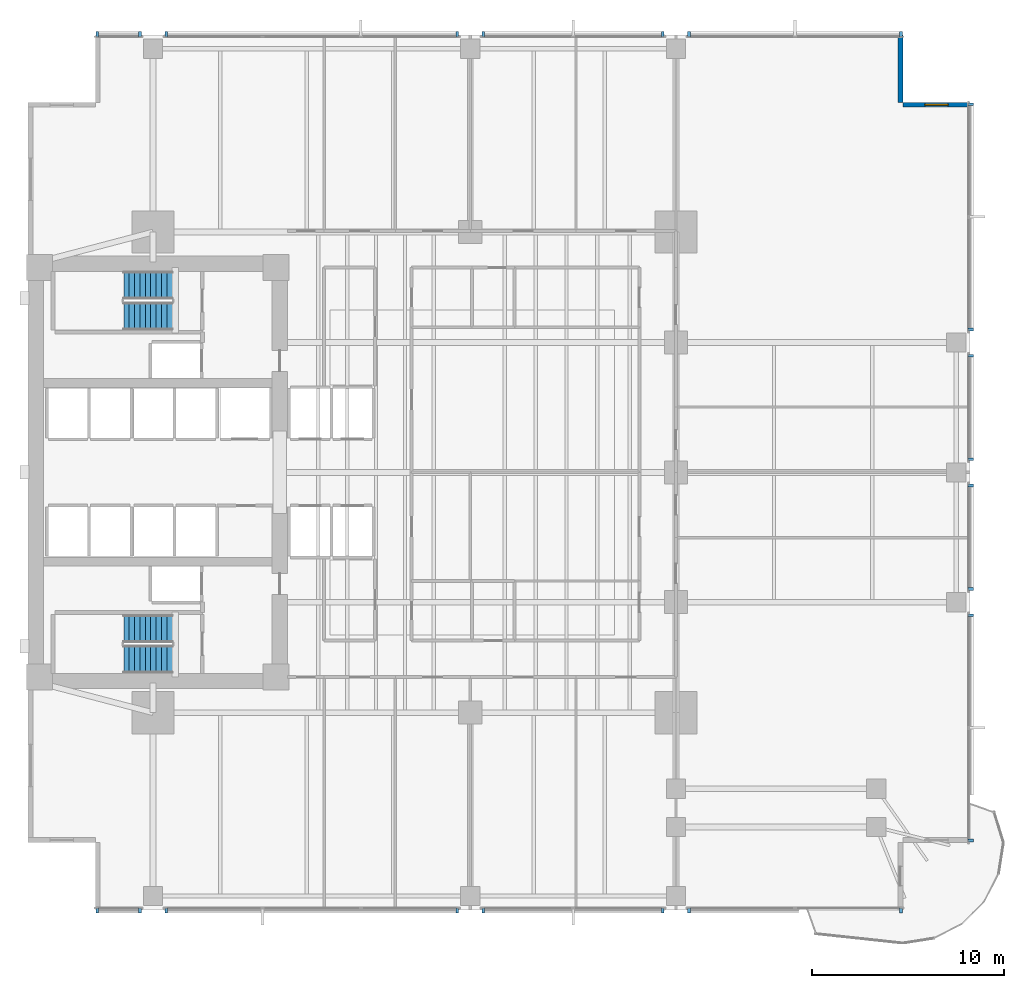
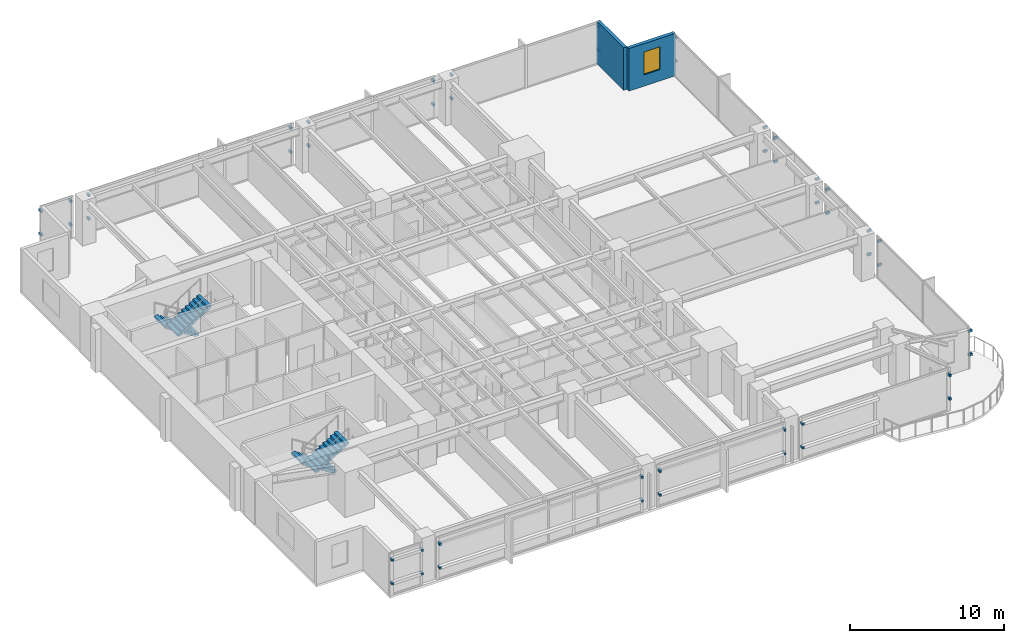
# One storey, part 11 of 15: 48 discrete accessories, 4 stair flights, 2 walls, 1 window, 1 opening, 2 elements without a shape of their own.
"""IFC4 building model written with IfcOpenShell, lengths in metres."""

from ifc_helpers import new_model, si_unit, direction, frame, frame_2d, origin, origin_2d, place, context, subcontext, project, spatial, polyline, rectangle, outline, extrude, material, layer, layer_set, type_object, element, fill, aggregate, save


model = new_model("IFC4")

# Units and contexts
model_context = context("Model", 3, precision=1e-05, world=origin(), true_north=direction((0.0, 1.0)))
body_context = subcontext(model_context, "Body", "Model", "MODEL_VIEW")
ifc_project = project(units=[si_unit("LENGTHUNIT", "METRE"), si_unit("AREAUNIT", "SQUARE_METRE"), si_unit("VOLUMEUNIT", "CUBIC_METRE"), si_unit("PLANEANGLEUNIT", "RADIAN"), si_unit("MASSUNIT", "GRAM", prefix="KILO")], contexts=[model_context])

# Site, building, storey
site_placement = place(None, origin())
site = spatial("IfcSite", under=ifc_project, at=site_placement, CompositionType="ELEMENT")
building_placement = place(site_placement, origin())
building = spatial("IfcBuilding", under=site, at=building_placement, Name="Kinhvarn Gate Tower", CompositionType="ELEMENT")
storey_placement = place(building_placement, frame((0.0, 0.0, 64.64990234375)))
storey = spatial("IfcBuildingStorey", under=building, at=storey_placement, Name="L16", CompositionType="ELEMENT", Elevation=64.64990234375)

# Wall, opening, window
ifc_material_1 = material(Name="Fired architectural terracotta", Category="masonry")
ifc_layer = layer(ifc_material_1, 0.25)
ifc_layer_set = layer_set([ifc_layer], Name="Fired architectural terracotta")
wall_type = type_object("IfcWallType", Name="WL-EXT-250", PredefinedType="SOLIDWALL", material=ifc_layer_set)
wall_1_placement = place(storey_placement, frame((53.5, 44.375, 0.0), z_axis=(0.0, 0.0, 1.0), x_axis=(-1.0, 0.0, 0.0)))
wall_1 = element("IfcWall", 1, at=wall_1_placement, inside=storey, type_object=wall_type, Name="Exterior Solidwall Wall EW-250 (L16 NE-Notch-1)", PredefinedType="SOLIDWALL", context=body_context, shape_type="SweptSolid", body=[
    extrude(rectangle(XDim=3.5, YDim=0.25, at=frame_2d((1.75, 0.0))), origin(), (0.0, 0.0, 1.0), 3.3701171875),
])
opening_placement = place(wall_1_placement, frame((1.14990234375, 0.0, 0.89990234375)))
opening = element("IfcOpeningElement", 2, at=opening_placement, cuts=wall_1, Name="Opening WN-02", PredefinedType="OPENING", context=body_context, shape_type="SweptSolid", body=[
    extrude(rectangle(XDim=1.199951171875, YDim=1.800048828125, at=frame_2d((0.60009765625, 0.89990234375))), frame((0.0, 0.135009765625, 0.0), z_axis=(0.0, -1.0, 0.0), x_axis=(1.0, 0.0, 0.0)), (0.0, 0.0, 1.0), 0.27001953125),
])
ifc_material_2 = material(Name="Clear low-e double glazing", Category="glass")
window_type = type_object("IfcWindowType", Name="WIN-NTC-1200", PartitioningType="SINGLE_PANEL", PredefinedType="WINDOW", material=ifc_material_2)
window_placement = place(opening_placement, origin())
window = element("IfcWindow", 3, at=window_placement, inside=storey, type_object=window_type, Name="Recessed Corner Notch Punched Window 1200x1800 mm (L16)", OverallHeight=1.800048828125, OverallWidth=1.199951171875, PartitioningType="SINGLE_PANEL", PredefinedType="WINDOW", context=body_context, shape_type="SweptSolid", body=[
    extrude(rectangle(XDim=1.199951171875, YDim=1.800048828125, at=frame_2d((0.60009765625, 0.89990234375))), frame((0.0, 0.030029296875, 0.0), z_axis=(0.0, -1.0, 0.0), x_axis=(1.0, 0.0, 0.0)), (0.0, 0.0, 1.0), 0.06005859375),
])
fill(opening, window)

# Wall
wall_2_placement = place(storey_placement, frame((49.875, 44.5, 0.0), z_axis=(0.0, 0.0, 1.0), x_axis=(0.0, 1.0, 0.0)))
element("IfcWall", 4, at=wall_2_placement, inside=storey, type_object=wall_type, Name="Exterior Solidwall Wall EW-250 (L16 NE-Notch-2)", PredefinedType="SOLIDWALL", context=body_context, shape_type="SweptSolid", body=[
    extrude(rectangle(XDim=3.5, YDim=0.25, at=frame_2d((1.75, 0.0))), origin(), (0.0, 0.0, 1.0), 3.3701171875),
])

# Stair, stair flights
ifc_material_3 = material(Name="Concrete C40/50", Category="concrete")
stair_type = type_object("IfcStairType", Name="STR-DLG-177", PredefinedType="HALF_TURN_STAIR", material=ifc_material_3)
stair_1_placement = place(storey_placement, origin())
stair_1 = element("IfcStair", 5, at=stair_1_placement, inside=storey, type_object=stair_type, Name="L16 Core Smokeproof Exit Stair ST1", PredefinedType="HALF_TURN_STAIR")
stair_flight_type = type_object("IfcStairFlightType", Name="STF-DLG-177", PredefinedType="STRAIGHT", material=ifc_material_3)
stair_flight_1_placement = place(storey_placement, frame((12.0, 17.125, 0.0), z_axis=(0.0, 0.0, 1.0), x_axis=(-1.0, 0.0, 0.0)))
stair_flight_1 = element("IfcStairFlight", 6, at=stair_flight_1_placement, type_object=stair_flight_type, Name="ST1 flight 1", NumberOfRisers=10, NumberOfTreads=9, PredefinedType="STRAIGHT", RiserHeight=0.1775, TreadLength=0.28, context=body_context, shape_type="SweptSolid", body=[
    extrude(outline(polyline([(0.0, 0.0), (0.0, 0.177490234375), (0.280029296875, 0.177490234375), (0.280029296875, 0.35498046875), (0.56005859375, 0.35498046875), (0.56005859375, 0.532470703125), (0.840087890625, 0.532470703125), (0.840087890625, 0.7099609375), (1.1201171875, 0.7099609375), (1.1201171875, 0.887451171875), (1.39990234375, 0.887451171875), (1.39990234375, 1.06494140625), (1.679931640625, 1.06494140625), (1.679931640625, 1.242431640625), (1.9599609375, 1.242431640625), (1.9599609375, 1.419921875), (2.239990234375, 1.419921875), (2.239990234375, 1.597412109375), (2.52001953125, 1.597412109375), (2.52001953125, 1.77490234375), (2.52001953125, 1.419921875), (0.280029296875, 0.0), (0.0, 0.0)])), frame((0.0, 0.72509765625, 0.0), z_axis=(0.0, -1.0, 0.0), x_axis=(1.0, 0.0, 0.0)), (0.0, 0.0, 1.0), 1.449951171875),
])
stair_flight_2_placement = place(storey_placement, frame((9.47998046875, 15.52490234375, 1.775146484375), z_axis=(0.0, 0.0, 1.0), x_axis=(1.0, 0.0, 0.0)))
stair_flight_2 = element("IfcStairFlight", 7, at=stair_flight_2_placement, type_object=stair_flight_type, Name="ST1 flight 2", NumberOfRisers=10, NumberOfTreads=9, PredefinedType="STRAIGHT", RiserHeight=0.1775, TreadLength=0.28, context=body_context, shape_type="SweptSolid", body=[
    extrude(outline(polyline([(0.0, 0.0), (0.0, 0.177490234375), (0.280029296875, 0.177490234375), (0.280029296875, 0.35498046875), (0.56005859375, 0.35498046875), (0.56005859375, 0.532470703125), (0.840087890625, 0.532470703125), (0.840087890625, 0.7099609375), (1.1201171875, 0.7099609375), (1.1201171875, 0.887451171875), (1.39990234375, 0.887451171875), (1.39990234375, 1.06494140625), (1.679931640625, 1.06494140625), (1.679931640625, 1.242431640625), (1.9599609375, 1.242431640625), (1.9599609375, 1.419921875), (2.239990234375, 1.419921875), (2.239990234375, 1.597412109375), (2.52001953125, 1.597412109375), (2.52001953125, 1.77490234375), (2.52001953125, 1.419921875), (0.280029296875, 0.0), (0.0, 0.0)])), frame((0.0, 0.72509765625, 0.0), z_axis=(0.0, -1.0, 0.0), x_axis=(1.0, 0.0, 0.0)), (0.0, 0.0, 1.0), 1.449951171875),
])
aggregate(stair_1, [stair_flight_1, stair_flight_2])

stair_2_placement = place(storey_placement, origin())
stair_2 = element("IfcStair", 8, at=stair_2_placement, inside=storey, type_object=stair_type, Name="L16 Core Smokeproof Exit Stair ST2", PredefinedType="HALF_TURN_STAIR")
stair_flight_3_placement = place(storey_placement, frame((12.0, 34.97509765625, 0.0), z_axis=(0.0, 0.0, 1.0), x_axis=(-1.0, 0.0, 0.0)))
stair_flight_3 = element("IfcStairFlight", 9, at=stair_flight_3_placement, type_object=stair_flight_type, Name="ST2 flight 1", NumberOfRisers=10, NumberOfTreads=9, PredefinedType="STRAIGHT", RiserHeight=0.1775, TreadLength=0.28, context=body_context, shape_type="SweptSolid", body=[
    extrude(outline(polyline([(0.0, 0.0), (0.0, 0.177490234375), (0.280029296875, 0.177490234375), (0.280029296875, 0.35498046875), (0.56005859375, 0.35498046875), (0.56005859375, 0.532470703125), (0.840087890625, 0.532470703125), (0.840087890625, 0.7099609375), (1.1201171875, 0.7099609375), (1.1201171875, 0.887451171875), (1.39990234375, 0.887451171875), (1.39990234375, 1.06494140625), (1.679931640625, 1.06494140625), (1.679931640625, 1.242431640625), (1.9599609375, 1.242431640625), (1.9599609375, 1.419921875), (2.239990234375, 1.419921875), (2.239990234375, 1.597412109375), (2.52001953125, 1.597412109375), (2.52001953125, 1.77490234375), (2.52001953125, 1.419921875), (0.280029296875, 0.0), (0.0, 0.0)])), frame((0.0, 0.72509765625, 0.0), z_axis=(0.0, -1.0, 0.0), x_axis=(1.0, 0.0, 0.0)), (0.0, 0.0, 1.0), 1.449951171875),
])
stair_flight_4_placement = place(storey_placement, frame((9.47998046875, 33.375, 1.775146484375), z_axis=(0.0, 0.0, 1.0), x_axis=(1.0, 0.0, 0.0)))
stair_flight_4 = element("IfcStairFlight", 10, at=stair_flight_4_placement, type_object=stair_flight_type, Name="ST2 flight 2", NumberOfRisers=10, NumberOfTreads=9, PredefinedType="STRAIGHT", RiserHeight=0.1775, TreadLength=0.28, context=body_context, shape_type="SweptSolid", body=[
    extrude(outline(polyline([(0.0, 0.0), (0.0, 0.177490234375), (0.280029296875, 0.177490234375), (0.280029296875, 0.35498046875), (0.56005859375, 0.35498046875), (0.56005859375, 0.532470703125), (0.840087890625, 0.532470703125), (0.840087890625, 0.7099609375), (1.1201171875, 0.7099609375), (1.1201171875, 0.887451171875), (1.39990234375, 0.887451171875), (1.39990234375, 1.06494140625), (1.679931640625, 1.06494140625), (1.679931640625, 1.242431640625), (1.9599609375, 1.242431640625), (1.9599609375, 1.419921875), (2.239990234375, 1.419921875), (2.239990234375, 1.597412109375), (2.52001953125, 1.597412109375), (2.52001953125, 1.77490234375), (2.52001953125, 1.419921875), (0.280029296875, 0.0), (0.0, 0.0)])), frame((0.0, 0.72509765625, 0.0), z_axis=(0.0, -1.0, 0.0), x_axis=(1.0, 0.0, 0.0)), (0.0, 0.0, 1.0), 1.449951171875),
])
aggregate(stair_2, [stair_flight_3, stair_flight_4])

# Discrete accessories
ifc_material_4 = material(Name="Anodised aluminium AW-6063", Category="aluminium")
discrete_accessory_type = type_object("IfcDiscreteAccessoryType", Name="ACC-BRK-01", PredefinedType="BRACKET", material=ifc_material_4)
for number, where, z_axis, x_axis, name in (
    (11, (8.10009765625, 2.4599609375, 0.9599609375), (0.0, 0.0, 1.0), (1.0, 0.0, 0.0), "Baguette Support Bracket BK-01 (L16)"),
    (12, (8.10009765625, 2.4599609375, 2.830078125), (0.0, 0.0, 1.0), (1.0, 0.0, 0.0), "Baguette Support Bracket BK-01 (L16)"),
    (13, (10.320068359375, 2.4599609375, 0.9599609375), (0.0, 0.0, 1.0), (1.0, 0.0, 0.0), "Baguette Support Bracket BK-01 (L16)"),
    (14, (10.320068359375, 2.4599609375, 2.830078125), (0.0, 0.0, 1.0), (1.0, 0.0, 0.0), "Baguette Support Bracket BK-01 (L16)"),
    (15, (11.679931640625, 2.4599609375, 0.9599609375), (0.0, 0.0, 1.0), (1.0, 0.0, 0.0), "Baguette Support Bracket BK-01 (L16)"),
    (16, (11.679931640625, 2.4599609375, 2.830078125), (0.0, 0.0, 1.0), (1.0, 0.0, 0.0), "Baguette Support Bracket BK-01 (L16)"),
    (17, (26.820068359375, 2.4599609375, 0.9599609375), (0.0, 0.0, 1.0), (1.0, 0.0, 0.0), "Baguette Support Bracket BK-01 (L16)"),
    (18, (26.820068359375, 2.4599609375, 2.830078125), (0.0, 0.0, 1.0), (1.0, 0.0, 0.0), "Baguette Support Bracket BK-01 (L16)"),
    (19, (28.179931640625, 2.4599609375, 0.9599609375), (0.0, 0.0, 1.0), (1.0, 0.0, 0.0), "Baguette Support Bracket BK-01 (L16)"),
    (20, (28.179931640625, 2.4599609375, 2.830078125), (0.0, 0.0, 1.0), (1.0, 0.0, 0.0), "Baguette Support Bracket BK-01 (L16)"),
    (21, (37.52001953125, 2.4599609375, 0.9599609375), (0.0, 0.0, 1.0), (1.0, 0.0, 0.0), "Baguette Support Bracket BK-01 (L16)"),
    (22, (37.52001953125, 2.4599609375, 2.830078125), (0.0, 0.0, 1.0), (1.0, 0.0, 0.0), "Baguette Support Bracket BK-01 (L16)"),
    (23, (38.8798828125, 2.4599609375, 0.9599609375), (0.0, 0.0, 1.0), (1.0, 0.0, 0.0), "Baguette Support Bracket BK-01 (L16)"),
    (24, (38.8798828125, 2.4599609375, 2.830078125), (0.0, 0.0, 1.0), (1.0, 0.0, 0.0), "Baguette Support Bracket BK-01 (L16)"),
    (25, (49.89990234375, 2.4599609375, 0.9599609375), (0.0, 0.0, 1.0), (1.0, 0.0, 0.0), "Baguette Support Bracket BK-01 (L16)"),
    (26, (49.89990234375, 2.4599609375, 2.830078125), (0.0, 0.0, 1.0), (1.0, 0.0, 0.0), "Baguette Support Bracket BK-01 (L16)"),
    (27, (49.89990234375, 48.0400390625, 0.9599609375), (0.0, 0.0, 1.0), (-1.0, 0.0, 0.0), "Baguette Support Bracket BK-01 (L16)"),
    (28, (49.89990234375, 48.0400390625, 2.830078125), (0.0, 0.0, 1.0), (-1.0, 0.0, 0.0), "Baguette Support Bracket BK-01 (L16)"),
    (29, (38.8798828125, 48.0400390625, 0.9599609375), (0.0, 0.0, 1.0), (-1.0, 0.0, 0.0), "Baguette Support Bracket BK-01 (L16)"),
    (30, (38.8798828125, 48.0400390625, 2.830078125), (0.0, 0.0, 1.0), (-1.0, 0.0, 0.0), "Baguette Support Bracket BK-01 (L16)"),
    (31, (37.52001953125, 48.0400390625, 0.9599609375), (0.0, 0.0, 1.0), (-1.0, 0.0, 0.0), "Baguette Support Bracket BK-01 (L16)"),
    (32, (37.52001953125, 48.0400390625, 2.830078125), (0.0, 0.0, 1.0), (-1.0, 0.0, 0.0), "Baguette Support Bracket BK-01 (L16)"),
    (33, (28.179931640625, 48.0400390625, 0.9599609375), (0.0, 0.0, 1.0), (-1.0, 0.0, 0.0), "Baguette Support Bracket BK-01 (L16)"),
    (34, (28.179931640625, 48.0400390625, 2.830078125), (0.0, 0.0, 1.0), (-1.0, 0.0, 0.0), "Baguette Support Bracket BK-01 (L16)"),
    (35, (26.820068359375, 48.0400390625, 0.9599609375), (0.0, 0.0, 1.0), (-1.0, 0.0, 0.0), "Baguette Support Bracket BK-01 (L16)"),
    (36, (26.820068359375, 48.0400390625, 2.830078125), (0.0, 0.0, 1.0), (-1.0, 0.0, 0.0), "Baguette Support Bracket BK-01 (L16)"),
    (37, (11.679931640625, 48.0400390625, 0.9599609375), (0.0, 0.0, 1.0), (-1.0, 0.0, 0.0), "Baguette Support Bracket BK-01 (L16)"),
    (38, (11.679931640625, 48.0400390625, 2.830078125), (0.0, 0.0, 1.0), (-1.0, 0.0, 0.0), "Baguette Support Bracket BK-01 (L16)"),
    (39, (10.320068359375, 48.0400390625, 0.9599609375), (0.0, 0.0, 1.0), (-1.0, 0.0, 0.0), "Baguette Support Bracket BK-01 (L16)"),
    (40, (10.320068359375, 48.0400390625, 2.830078125), (0.0, 0.0, 1.0), (-1.0, 0.0, 0.0), "Baguette Support Bracket BK-01 (L16)"),
    (41, (8.10009765625, 48.0400390625, 0.9599609375), (0.0, 0.0, 1.0), (-1.0, 0.0, 0.0), "Baguette Support Bracket BK-01 (L16)"),
    (42, (8.10009765625, 48.0400390625, 2.830078125), (0.0, 0.0, 1.0), (-1.0, 0.0, 0.0), "Baguette Support Bracket BK-01 (L16)"),
    (43, (53.5400390625, 6.10009765625, 0.9599609375), (0.0, 0.0, 1.0), (0.0, 1.0, 0.0), "Baguette Support Bracket BK-01 (L16)"),
    (44, (53.5400390625, 6.10009765625, 2.830078125), (0.0, 0.0, 1.0), (0.0, 1.0, 0.0), "Baguette Support Bracket BK-01 (L16)"),
    (45, (53.5400390625, 17.820068359375, 0.9599609375), (0.0, 0.0, 1.0), (0.0, 1.0, 0.0), "Baguette Support Bracket BK-01 (L16)"),
    (46, (53.5400390625, 17.820068359375, 2.830078125), (0.0, 0.0, 1.0), (0.0, 1.0, 0.0), "Baguette Support Bracket BK-01 (L16)"),
    (47, (53.5400390625, 19.179931640625, 0.9599609375), (0.0, 0.0, 1.0), (0.0, 1.0, 0.0), "Baguette Support Bracket BK-01 (L16)"),
    (48, (53.5400390625, 19.179931640625, 2.830078125), (0.0, 0.0, 1.0), (0.0, 1.0, 0.0), "Baguette Support Bracket BK-01 (L16)"),
    (49, (53.5400390625, 24.570068359375, 0.9599609375), (0.0, 0.0, 1.0), (0.0, 1.0, 0.0), "Baguette Support Bracket BK-01 (L16)"),
    (50, (53.5400390625, 24.570068359375, 2.830078125), (0.0, 0.0, 1.0), (0.0, 1.0, 0.0), "Baguette Support Bracket BK-01 (L16)"),
    (51, (53.5400390625, 25.929931640625, 0.9599609375), (0.0, 0.0, 1.0), (0.0, 1.0, 0.0), "Baguette Support Bracket BK-01 (L16)"),
    (52, (53.5400390625, 25.929931640625, 2.830078125), (0.0, 0.0, 1.0), (0.0, 1.0, 0.0), "Baguette Support Bracket BK-01 (L16)"),
    (53, (53.5400390625, 31.320068359375, 0.9599609375), (0.0, 0.0, 1.0), (0.0, 1.0, 0.0), "Baguette Support Bracket BK-01 (L16)"),
    (54, (53.5400390625, 31.320068359375, 2.830078125), (0.0, 0.0, 1.0), (0.0, 1.0, 0.0), "Baguette Support Bracket BK-01 (L16)"),
    (55, (53.5400390625, 32.679931640625, 0.9599609375), (0.0, 0.0, 1.0), (0.0, 1.0, 0.0), "Baguette Support Bracket BK-01 (L16)"),
    (56, (53.5400390625, 32.679931640625, 2.830078125), (0.0, 0.0, 1.0), (0.0, 1.0, 0.0), "Baguette Support Bracket BK-01 (L16)"),
    (57, (53.5400390625, 44.39990234375, 0.9599609375), (0.0, 0.0, 1.0), (0.0, 1.0, 0.0), "Baguette Support Bracket BK-01 (L16)"),
    (58, (53.5400390625, 44.39990234375, 2.830078125), (0.0, 0.0, 1.0), (0.0, 1.0, 0.0), "Baguette Support Bracket BK-01 (L16)"),
):
    element("IfcDiscreteAccessory", number, at=place(storey_placement, frame(where, z_axis=z_axis, x_axis=x_axis)), inside=storey, type_object=discrete_accessory_type, Name=name, PredefinedType="BRACKET", context=body_context, shape_type="SweptSolid", body=[
        extrude(rectangle(XDim=0.139892578125, YDim=0.280029296875, at=origin_2d()), origin(), (0.0, 0.0, 1.0), 0.179931640625),
    ])

save(model, "model.ifc")
